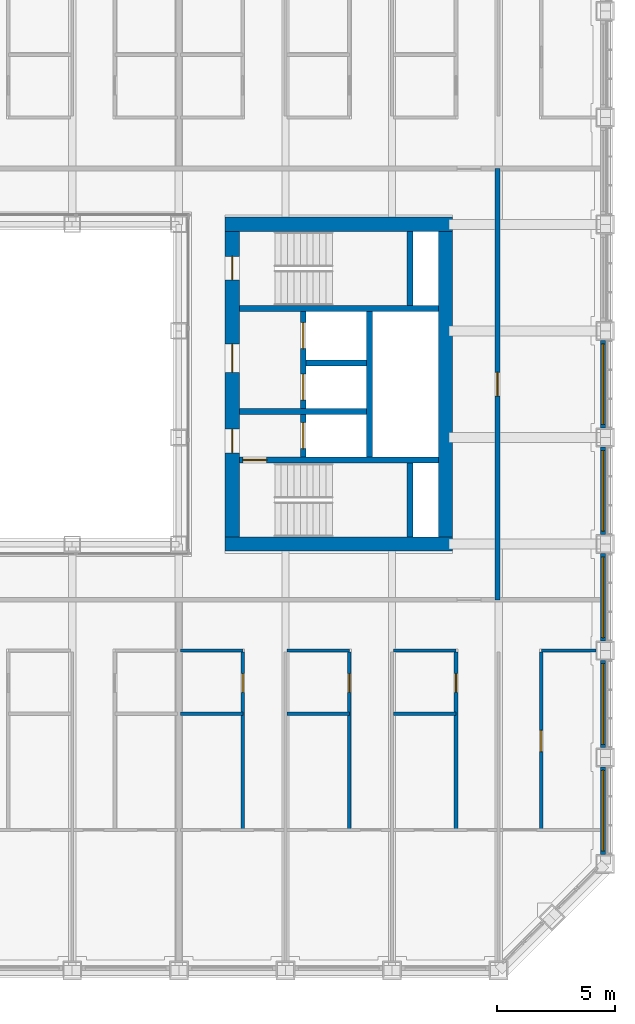
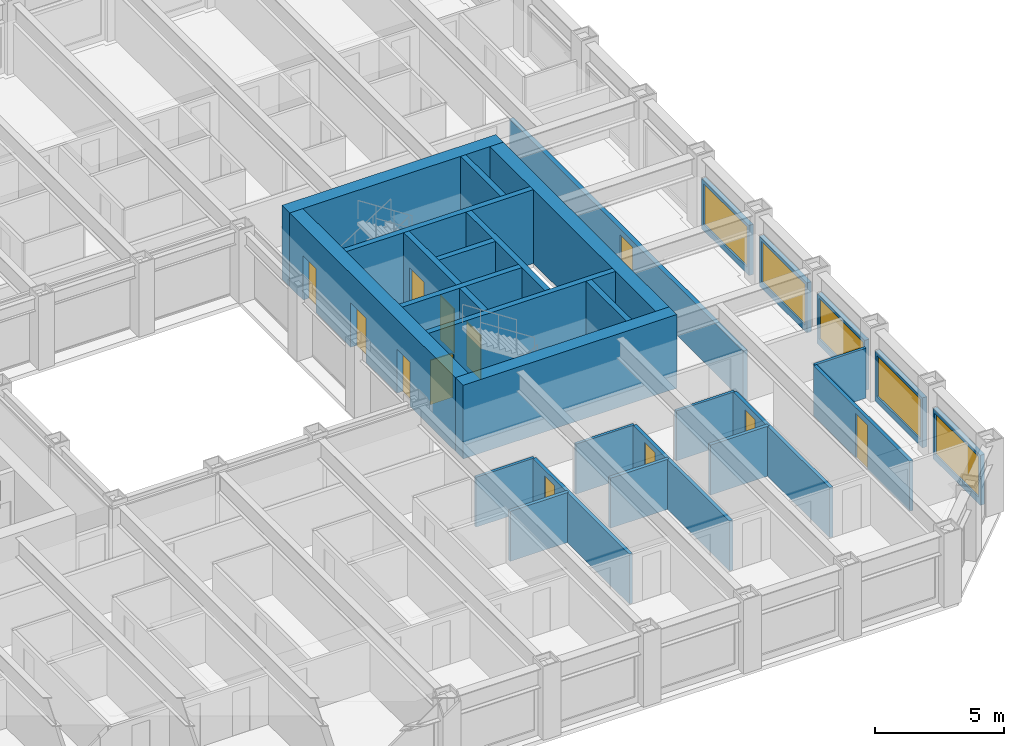
# One storey, part 12 of 21: 29 walls, 12 doors, 5 windows, 17 openings.
"""IFC4 building model written with IfcOpenShell, lengths in metres."""

from ifc_helpers import new_model, si_unit, direction, frame, frame_2d, origin, place, context, subcontext, project, spatial, rectangle, extrude, material, layer, layer_set, type_object, element, fill, save


model = new_model("IFC4")

# Units and contexts
model_context = context("Model", 3, precision=1e-05, world=origin(), true_north=direction((0.0, 1.0)))
body_context = subcontext(model_context, "Body", "Model", "MODEL_VIEW")
ifc_project = project(units=[si_unit("LENGTHUNIT", "METRE"), si_unit("AREAUNIT", "SQUARE_METRE"), si_unit("VOLUMEUNIT", "CUBIC_METRE"), si_unit("PLANEANGLEUNIT", "RADIAN"), si_unit("MASSUNIT", "GRAM", prefix="KILO")], contexts=[model_context])

# Site, building, storey
site_placement = place(None, origin())
site = spatial("IfcSite", under=ifc_project, at=site_placement, CompositionType="ELEMENT")
building_placement = place(site_placement, origin())
building = spatial("IfcBuilding", under=site, at=building_placement, Name="Msasa Ring Tower", CompositionType="ELEMENT")
storey_placement = place(building_placement, frame((0.0, 0.0, 89.5)))
storey = spatial("IfcBuildingStorey", under=building, at=storey_placement, Name="L23", CompositionType="ELEMENT", Elevation=89.5)

# Walls
ifc_material_1 = material(Name="Concrete C60/75", Category="concrete")
ifc_layer_1 = layer(ifc_material_1, 0.60009765625)
ifc_layer_set_1 = layer_set([ifc_layer_1], Name="CW1 CORE WALL 600")
wall_type_1 = type_object("IfcWallType", Name="CW1 CORE WALL 600", PredefinedType="SHEAR", material=ifc_layer_set_1)
for number, where, z_axis, x_axis, name in (
    (1, (8.699951171875, -6.75, 0.0), (0.0, 0.0, 1.0), (1.0, 0.0, 0.0), "E core wall S L23"),
    (2, (8.699951171875, 6.75, 0.0), (0.0, 0.0, 1.0), (1.0, 0.0, 0.0), "E core wall N L23"),
):
    element("IfcWall", number, at=place(storey_placement, frame(where, z_axis=z_axis, x_axis=x_axis)), inside=storey, type_object=wall_type_1, Name=name, PredefinedType="SHEAR", context=body_context, shape_type="SweptSolid", body=[
        extrude(rectangle(XDim=9.60009765625, YDim=0.60009765625, at=frame_2d((4.800048828125, 0.0))), origin(), (0.0, 0.0, 1.0), 3.5),
    ])

# Wall, openings, doors
wall_1_placement = place(storey_placement, frame((9.0, -6.449951171875, 0.0), z_axis=(0.0, 0.0, 1.0), x_axis=(0.0, 1.0, 0.0)))
wall_1 = element("IfcWall", 3, at=wall_1_placement, inside=storey, type_object=wall_type_1, Name="E core wall W L23", PredefinedType="SHEAR", context=body_context, shape_type="SweptSolid", body=[
    extrude(rectangle(XDim=12.89990234375, YDim=0.60009765625, at=frame_2d((6.449951171875, 0.0))), origin(), (0.0, 0.0, 1.0), 3.5),
])
opening_1_placement = place(wall_1_placement, frame((3.550048828125, 0.0, 0.0)))
opening_1 = element("IfcOpeningElement", 4, at=opening_1_placement, cuts=wall_1, Name="Opening RG-045", PredefinedType="OPENING", context=body_context, shape_type="SweptSolid", body=[
    extrude(rectangle(XDim=1.0, YDim=2.10009765625, at=frame_2d((0.5, 1.050048828125))), frame((0.0, 0.31005859375, 0.0), z_axis=(0.0, -1.0, 0.0), x_axis=(1.0, 0.0, 0.0)), (0.0, 0.0, 1.0), 0.6201171875),
])
opening_2_placement = place(wall_1_placement, frame((6.949951171875, 0.0, 0.0)))
opening_2 = element("IfcOpeningElement", 5, at=opening_2_placement, cuts=wall_1, Name="Opening RG-040", PredefinedType="OPENING", context=body_context, shape_type="SweptSolid", body=[
    extrude(rectangle(XDim=1.199951171875, YDim=2.10009765625, at=frame_2d((0.60009765625, 1.050048828125))), frame((0.0, 0.31005859375, 0.0), z_axis=(0.0, -1.0, 0.0), x_axis=(1.0, 0.0, 0.0)), (0.0, 0.0, 1.0), 0.6201171875),
])
opening_3_placement = place(wall_1_placement, frame((10.85009765625, 0.0, 0.0)))
opening_3 = element("IfcOpeningElement", 6, at=opening_3_placement, cuts=wall_1, Name="Opening RG-037", PredefinedType="OPENING", context=body_context, shape_type="SweptSolid", body=[
    extrude(rectangle(XDim=1.0, YDim=2.10009765625, at=frame_2d((0.5, 1.050048828125))), frame((0.0, 0.31005859375, 0.0), z_axis=(0.0, -1.0, 0.0), x_axis=(1.0, 0.0, 0.0)), (0.0, 0.0, 1.0), 0.6201171875),
])
ifc_material_2 = material(Name="Timber door leaf in a steel frame", Category="steel")
door_type_1 = type_object("IfcDoorType", Name="D4 LOBBY DOOR 1000x2100", OperationType="SINGLE_SWING_LEFT", PredefinedType="DOOR", material=ifc_material_2)
door_1_placement = place(opening_1_placement, origin())
door_1 = element("IfcDoor", 7, at=door_1_placement, inside=storey, type_object=door_type_1, Name="Door L23-EFFL", OperationType="SINGLE_SWING_LEFT", OverallHeight=2.10009765625, OverallWidth=1.0, PredefinedType="DOOR", context=body_context, shape_type="SweptSolid", body=[
    extrude(rectangle(XDim=1.0, YDim=2.10009765625, at=frame_2d((0.5, 1.050048828125))), frame((0.0, 0.02490234375, 0.0), z_axis=(0.0, -1.0, 0.0), x_axis=(1.0, 0.0, 0.0)), (0.0, 0.0, 1.0), 0.050048828125),
])
fill(opening_1, door_1)
ifc_material_3 = material(Name="Timber door leaf in a steel frame", Category="steel")
door_type_2 = type_object("IfcDoorType", Name="D5 WIDE LOBBY DOOR 1200x2100", OperationType="SINGLE_SWING_LEFT", PredefinedType="DOOR", material=ifc_material_3)
door_2_placement = place(opening_2_placement, origin())
door_2 = element("IfcDoor", 8, at=door_2_placement, inside=storey, type_object=door_type_2, Name="Door L23-ELL", OperationType="SINGLE_SWING_RIGHT", OverallHeight=2.10009765625, OverallWidth=1.199951171875, PredefinedType="DOOR", context=body_context, shape_type="SweptSolid", body=[
    extrude(rectangle(XDim=1.199951171875, YDim=2.10009765625, at=frame_2d((0.60009765625, 1.050048828125))), frame((0.0, 0.02490234375, 0.0), z_axis=(0.0, -1.0, 0.0), x_axis=(1.0, 0.0, 0.0)), (0.0, 0.0, 1.0), 0.050048828125),
])
fill(opening_2, door_2)
ifc_material_4 = material(Name="Timber door leaf in a steel frame", Category="steel")
door_type_3 = type_object("IfcDoorType", Name="D6 STAIR DOOR 1000x2100", OperationType="SINGLE_SWING_LEFT", PredefinedType="DOOR", material=ifc_material_4)
door_3_placement = place(opening_3_placement, origin())
door_3 = element("IfcDoor", 9, at=door_3_placement, inside=storey, type_object=door_type_3, Name="Door L23-ESTB", OperationType="SINGLE_SWING_RIGHT", OverallHeight=2.10009765625, OverallWidth=1.0, PredefinedType="DOOR", context=body_context, shape_type="SweptSolid", body=[
    extrude(rectangle(XDim=1.0, YDim=2.10009765625, at=frame_2d((0.5, 1.050048828125))), frame((0.0, 0.02490234375, 0.0), z_axis=(0.0, -1.0, 0.0), x_axis=(1.0, 0.0, 0.0)), (0.0, 0.0, 1.0), 0.050048828125),
])
fill(opening_3, door_3)

# Wall
wall_2_placement = place(storey_placement, frame((18.0, -6.449951171875, 0.0), z_axis=(0.0, 0.0, 1.0), x_axis=(0.0, 1.0, 0.0)))
element("IfcWall", 10, at=wall_2_placement, inside=storey, type_object=wall_type_1, Name="E core wall E L23", PredefinedType="SHEAR", context=body_context, shape_type="SweptSolid", body=[
    extrude(rectangle(XDim=12.89990234375, YDim=0.60009765625, at=frame_2d((6.449951171875, 0.0))), origin(), (0.0, 0.0, 1.0), 3.5),
])

# Wall, opening, door
ifc_material_5 = material(Name="Concrete C60/75", Category="concrete")
ifc_layer_2 = layer(ifc_material_5, 0.25)
ifc_layer_set_2 = layer_set([ifc_layer_2], Name="CW4 CORE INNER WALL 250")
wall_type_2 = type_object("IfcWallType", Name="CW4 CORE INNER WALL 250", PredefinedType="SHEAR", material=ifc_layer_set_2)
wall_3_placement = place(storey_placement, frame((9.300048828125, -3.199951171875, 0.0), z_axis=(0.0, 0.0, 1.0), x_axis=(1.0, 0.0, 0.0)))
wall_3 = element("IfcWall", 11, at=wall_3_placement, inside=storey, type_object=wall_type_2, Name="E core wall STAIRA L23", PredefinedType="SHEAR", context=body_context, shape_type="SweptSolid", body=[
    extrude(rectangle(XDim=8.39990234375, YDim=0.25, at=frame_2d((4.199951171875, 0.0))), origin(), (0.0, 0.0, 1.0), 3.5),
])
opening_4_placement = place(wall_3_placement, frame((0.14990234375, 0.0, 0.0)))
opening_4 = element("IfcOpeningElement", 12, at=opening_4_placement, cuts=wall_3, Name="Opening RG-047", PredefinedType="OPENING", context=body_context, shape_type="SweptSolid", body=[
    extrude(rectangle(XDim=1.0, YDim=2.10009765625, at=frame_2d((0.5, 1.050048828125))), frame((0.0, 0.135009765625, 0.0), z_axis=(0.0, -1.0, 0.0), x_axis=(1.0, 0.0, 0.0)), (0.0, 0.0, 1.0), 0.27001953125),
])
door_4_placement = place(opening_4_placement, origin())
door_4 = element("IfcDoor", 13, at=door_4_placement, inside=storey, type_object=door_type_3, Name="Door L23-ESTA", OperationType="SINGLE_SWING_LEFT", OverallHeight=2.10009765625, OverallWidth=1.0, PredefinedType="DOOR", context=body_context, shape_type="SweptSolid", body=[
    extrude(rectangle(XDim=1.0, YDim=2.10009765625, at=frame_2d((0.5, 1.050048828125))), frame((0.0, 0.02490234375, 0.0), z_axis=(0.0, -1.0, 0.0), x_axis=(1.0, 0.0, 0.0)), (0.0, 0.0, 1.0), 0.050048828125),
])
fill(opening_4, door_4)

# Walls
wall_4_placement = place(storey_placement, frame((9.300048828125, 3.199951171875, 0.0), z_axis=(0.0, 0.0, 1.0), x_axis=(1.0, 0.0, 0.0)))
element("IfcWall", 14, at=wall_4_placement, inside=storey, type_object=wall_type_2, Name="E core wall STAIRB L23", PredefinedType="SHEAR", context=body_context, shape_type="SweptSolid", body=[
    extrude(rectangle(XDim=8.39990234375, YDim=0.25, at=frame_2d((4.199951171875, 0.0))), origin(), (0.0, 0.0, 1.0), 3.5),
])
for number, where, z_axis, x_axis, name in (
    (15, (16.5, -6.449951171875, 0.0), (0.0, 0.0, 1.0), (0.0, 1.0, 0.0), "E core wall RISERA L23"),
    (16, (16.5, 3.324951171875, 0.0), (0.0, 0.0, 1.0), (0.0, 1.0, 0.0), "E core wall RISERB L23"),
):
    element("IfcWall", number, at=place(storey_placement, frame(where, z_axis=z_axis, x_axis=x_axis)), inside=storey, type_object=wall_type_2, Name=name, PredefinedType="SHEAR", context=body_context, shape_type="SweptSolid", body=[
        extrude(rectangle(XDim=3.125, YDim=0.25, at=frame_2d((1.5625, 0.0))), origin(), (0.0, 0.0, 1.0), 3.5),
    ])
wall_5_placement = place(storey_placement, frame((9.300048828125, -1.14990234375, 0.0), z_axis=(0.0, 0.0, 1.0), x_axis=(1.0, 0.0, 0.0)))
element("IfcWall", 17, at=wall_5_placement, inside=storey, type_object=wall_type_2, Name="E core wall FFL L23", PredefinedType="SHEAR", context=body_context, shape_type="SweptSolid", body=[
    extrude(rectangle(XDim=5.375, YDim=0.25, at=frame_2d((2.6875, 0.0))), origin(), (0.0, 0.0, 1.0), 3.5),
])

# Wall, openings, doors
wall_6_placement = place(storey_placement, frame((12.0, -3.074951171875, 0.0), z_axis=(0.0, 0.0, 1.0), x_axis=(0.0, 1.0, 0.0)))
wall_6 = element("IfcWall", 18, at=wall_6_placement, inside=storey, type_object=wall_type_2, Name="E core wall LOBBY L23", PredefinedType="SHEAR", context=body_context, shape_type="SweptSolid", body=[
    extrude(rectangle(XDim=6.14990234375, YDim=0.25, at=frame_2d((3.074951171875, 0.0))), origin(), (0.0, 0.0, 1.0), 3.5),
])
opening_5_placement = place(wall_6_placement, frame((0.35009765625, 0.0, 0.0)))
opening_5 = element("IfcOpeningElement", 19, at=opening_5_placement, cuts=wall_6, Name="Opening LD1", PredefinedType="OPENING", context=body_context, shape_type="SweptSolid", body=[
    extrude(rectangle(XDim=1.10009765625, YDim=2.10009765625, at=frame_2d((0.550048828125, 1.050048828125))), frame((0.0, 0.135009765625, 0.0), z_axis=(0.0, -1.0, 0.0), x_axis=(1.0, 0.0, 0.0)), (0.0, 0.0, 1.0), 0.27001953125),
])
opening_6_placement = place(wall_6_placement, frame((2.39990234375, 0.0, 0.0)))
opening_6 = element("IfcOpeningElement", 20, at=opening_6_placement, cuts=wall_6, Name="Opening LD1", PredefinedType="OPENING", context=body_context, shape_type="SweptSolid", body=[
    extrude(rectangle(XDim=1.10009765625, YDim=2.10009765625, at=frame_2d((0.550048828125, 1.050048828125))), frame((0.0, 0.135009765625, 0.0), z_axis=(0.0, -1.0, 0.0), x_axis=(1.0, 0.0, 0.0)), (0.0, 0.0, 1.0), 0.27001953125),
])
opening_7_placement = place(wall_6_placement, frame((4.574951171875, 0.0, 0.0)))
opening_7 = element("IfcOpeningElement", 21, at=opening_7_placement, cuts=wall_6, Name="Opening LD1", PredefinedType="OPENING", context=body_context, shape_type="SweptSolid", body=[
    extrude(rectangle(XDim=1.10009765625, YDim=2.10009765625, at=frame_2d((0.550048828125, 1.050048828125))), frame((0.0, 0.135009765625, 0.0), z_axis=(0.0, -1.0, 0.0), x_axis=(1.0, 0.0, 0.0)), (0.0, 0.0, 1.0), 0.27001953125),
])
ifc_material_6 = material(Name="Stainless steel lift landing door", Category="steel")
door_type_4 = type_object("IfcDoorType", Name="LD1 LIFT LANDING DOOR 1100x2100", OperationType="DOUBLE_DOOR_SLIDING", PredefinedType="DOOR", material=ifc_material_6)
door_5_placement = place(opening_5_placement, origin())
door_5 = element("IfcDoor", 22, at=door_5_placement, inside=storey, type_object=door_type_4, Name="Lift landing door FL-E L23", OperationType="DOUBLE_DOOR_SLIDING", OverallHeight=2.10009765625, OverallWidth=1.10009765625, PredefinedType="DOOR", context=body_context, shape_type="SweptSolid", body=[
    extrude(rectangle(XDim=1.10009765625, YDim=2.10009765625, at=frame_2d((0.550048828125, 1.050048828125))), frame((0.0, 0.02490234375, 0.0), z_axis=(0.0, -1.0, 0.0), x_axis=(1.0, 0.0, 0.0)), (0.0, 0.0, 1.0), 0.050048828125),
])
fill(opening_5, door_5)
door_6_placement = place(opening_6_placement, origin())
door_6 = element("IfcDoor", 23, at=door_6_placement, inside=storey, type_object=door_type_4, Name="Lift landing door PL-R1 L23", OperationType="DOUBLE_DOOR_SLIDING", OverallHeight=2.10009765625, OverallWidth=1.10009765625, PredefinedType="DOOR", context=body_context, shape_type="SweptSolid", body=[
    extrude(rectangle(XDim=1.10009765625, YDim=2.10009765625, at=frame_2d((0.550048828125, 1.050048828125))), frame((0.0, 0.02490234375, 0.0), z_axis=(0.0, -1.0, 0.0), x_axis=(1.0, 0.0, 0.0)), (0.0, 0.0, 1.0), 0.050048828125),
])
fill(opening_6, door_6)
door_7_placement = place(opening_7_placement, origin())
door_7 = element("IfcDoor", 24, at=door_7_placement, inside=storey, type_object=door_type_4, Name="Lift landing door PL-R2 L23", OperationType="DOUBLE_DOOR_SLIDING", OverallHeight=2.10009765625, OverallWidth=1.10009765625, PredefinedType="DOOR", context=body_context, shape_type="SweptSolid", body=[
    extrude(rectangle(XDim=1.10009765625, YDim=2.10009765625, at=frame_2d((0.550048828125, 1.050048828125))), frame((0.0, 0.02490234375, 0.0), z_axis=(0.0, -1.0, 0.0), x_axis=(1.0, 0.0, 0.0)), (0.0, 0.0, 1.0), 0.050048828125),
])
fill(opening_7, door_7)

# Walls
wall_7_placement = place(storey_placement, frame((14.800048828125, -3.074951171875, 0.0), z_axis=(0.0, 0.0, 1.0), x_axis=(0.0, 1.0, 0.0)))
element("IfcWall", 25, at=wall_7_placement, inside=storey, type_object=wall_type_2, Name="E core wall SHAFT L23", PredefinedType="SHEAR", context=body_context, shape_type="SweptSolid", body=[
    extrude(rectangle(XDim=6.14990234375, YDim=0.25, at=frame_2d((3.074951171875, 0.0))), origin(), (0.0, 0.0, 1.0), 3.5),
])
wall_8_placement = place(storey_placement, frame((12.125, 0.89990234375, 0.0), z_axis=(0.0, 0.0, 1.0), x_axis=(1.0, 0.0, 0.0)))
element("IfcWall", 26, at=wall_8_placement, inside=storey, type_object=wall_type_2, Name="E core wall LIFT1 L23", PredefinedType="SHEAR", context=body_context, shape_type="SweptSolid", body=[
    extrude(rectangle(XDim=2.550048828125, YDim=0.25, at=frame_2d((1.27490234375, 0.0))), origin(), (0.0, 0.0, 1.0), 3.5),
])

# Wall, opening, window
ifc_material_7 = material(Name="Terracotta rainscreen on blockwork", Category="masonry")
ifc_layer_3 = layer(ifc_material_7, 0.199951171875)
ifc_layer_set_3 = layer_set([ifc_layer_3], Name="FW1 TERRACOTTA-LINED INFILL BAY WALL 200")
wall_type_3 = type_object("IfcWallType", Name="FW1 TERRACOTTA-LINED INFILL BAY WALL 200", PredefinedType="SOLIDWALL", material=ifc_layer_set_3)
wall_9_placement = place(storey_placement, frame((24.64990234375, -19.844970703125, 0.0), z_axis=(0.0, 0.0, 1.0), x_axis=(0.0, 1.0, 0.0)))
wall_9 = element("IfcWall", 27, at=wall_9_placement, inside=storey, type_object=wall_type_3, Name="Infill bay wall E L23 11", PredefinedType="SOLIDWALL", context=body_context, shape_type="SweptSolid", body=[
    extrude(rectangle(XDim=3.68994140625, YDim=0.199951171875, at=frame_2d((1.844970703125, 0.0))), origin(), (0.0, 0.0, 1.0), 2.37890625),
])
opening_8_placement = place(wall_9_placement, frame((0.14501953125, 0.0, 0.300048828125)))
opening_8 = element("IfcOpeningElement", 28, at=opening_8_placement, cuts=wall_9, Name="Opening WN1", PredefinedType="OPENING", context=body_context, shape_type="SweptSolid", body=[
    extrude(rectangle(XDim=3.39990234375, YDim=1.928955078125, at=frame_2d((1.699951171875, 0.96435546875))), frame((0.0, 0.10986328125, 0.0), z_axis=(0.0, -1.0, 0.0), x_axis=(1.0, 0.0, 0.0)), (0.0, 0.0, 1.0), 0.219970703125),
])
ifc_material_8 = material(Name="Aluminium frame with clear glass", Category="aluminium")
window_type = type_object("IfcWindowType", Name="WN1 RESIDENCE WINDOW 3400x1929", PartitioningType="SINGLE_PANEL", PredefinedType="WINDOW", material=ifc_material_8)
window_1_placement = place(opening_8_placement, origin())
window_1 = element("IfcWindow", 29, at=window_1_placement, inside=storey, type_object=window_type, Name="Window E L23 11", OverallHeight=1.928955078125, OverallWidth=3.39990234375, PartitioningType="SINGLE_PANEL", PredefinedType="WINDOW", context=body_context, shape_type="SweptSolid", body=[
    extrude(rectangle(XDim=3.39990234375, YDim=1.928955078125, at=frame_2d((1.699951171875, 0.96435546875))), frame((0.0, 0.030029296875, 0.0), z_axis=(0.0, -1.0, 0.0), x_axis=(1.0, 0.0, 0.0)), (0.0, 0.0, 1.0), 0.06005859375),
])
fill(opening_8, window_1)

wall_10_placement = place(storey_placement, frame((24.64990234375, -15.344970703125, 0.0), z_axis=(0.0, 0.0, 1.0), x_axis=(0.0, 1.0, 0.0)))
wall_10 = element("IfcWall", 30, at=wall_10_placement, inside=storey, type_object=wall_type_3, Name="Infill bay wall E L23 12", PredefinedType="SOLIDWALL", context=body_context, shape_type="SweptSolid", body=[
    extrude(rectangle(XDim=3.68994140625, YDim=0.199951171875, at=frame_2d((1.844970703125, 0.0))), origin(), (0.0, 0.0, 1.0), 2.37890625),
])
opening_9_placement = place(wall_10_placement, frame((0.14501953125, 0.0, 0.300048828125)))
opening_9 = element("IfcOpeningElement", 31, at=opening_9_placement, cuts=wall_10, Name="Opening WN1", PredefinedType="OPENING", context=body_context, shape_type="SweptSolid", body=[
    extrude(rectangle(XDim=3.39990234375, YDim=1.928955078125, at=frame_2d((1.699951171875, 0.96435546875))), frame((0.0, 0.10986328125, 0.0), z_axis=(0.0, -1.0, 0.0), x_axis=(1.0, 0.0, 0.0)), (0.0, 0.0, 1.0), 0.219970703125),
])
window_2_placement = place(opening_9_placement, origin())
window_2 = element("IfcWindow", 32, at=window_2_placement, inside=storey, type_object=window_type, Name="Window E L23 12", OverallHeight=1.928955078125, OverallWidth=3.39990234375, PartitioningType="SINGLE_PANEL", PredefinedType="WINDOW", context=body_context, shape_type="SweptSolid", body=[
    extrude(rectangle(XDim=3.39990234375, YDim=1.928955078125, at=frame_2d((1.699951171875, 0.96435546875))), frame((0.0, 0.030029296875, 0.0), z_axis=(0.0, -1.0, 0.0), x_axis=(1.0, 0.0, 0.0)), (0.0, 0.0, 1.0), 0.06005859375),
])
fill(opening_9, window_2)

wall_11_placement = place(storey_placement, frame((24.64990234375, -10.844970703125, 0.0), z_axis=(0.0, 0.0, 1.0), x_axis=(0.0, 1.0, 0.0)))
wall_11 = element("IfcWall", 33, at=wall_11_placement, inside=storey, type_object=wall_type_3, Name="Infill bay wall E L23 13", PredefinedType="SOLIDWALL", context=body_context, shape_type="SweptSolid", body=[
    extrude(rectangle(XDim=3.68994140625, YDim=0.199951171875, at=frame_2d((1.844970703125, 0.0))), origin(), (0.0, 0.0, 1.0), 2.37890625),
])
opening_10_placement = place(wall_11_placement, frame((0.14501953125, 0.0, 0.300048828125)))
opening_10 = element("IfcOpeningElement", 34, at=opening_10_placement, cuts=wall_11, Name="Opening WN1", PredefinedType="OPENING", context=body_context, shape_type="SweptSolid", body=[
    extrude(rectangle(XDim=3.39990234375, YDim=1.928955078125, at=frame_2d((1.699951171875, 0.96435546875))), frame((0.0, 0.10986328125, 0.0), z_axis=(0.0, -1.0, 0.0), x_axis=(1.0, 0.0, 0.0)), (0.0, 0.0, 1.0), 0.219970703125),
])
window_3_placement = place(opening_10_placement, origin())
window_3 = element("IfcWindow", 35, at=window_3_placement, inside=storey, type_object=window_type, Name="Window E L23 13", OverallHeight=1.928955078125, OverallWidth=3.39990234375, PartitioningType="SINGLE_PANEL", PredefinedType="WINDOW", context=body_context, shape_type="SweptSolid", body=[
    extrude(rectangle(XDim=3.39990234375, YDim=1.928955078125, at=frame_2d((1.699951171875, 0.96435546875))), frame((0.0, 0.030029296875, 0.0), z_axis=(0.0, -1.0, 0.0), x_axis=(1.0, 0.0, 0.0)), (0.0, 0.0, 1.0), 0.06005859375),
])
fill(opening_10, window_3)

wall_12_placement = place(storey_placement, frame((24.64990234375, -6.344970703125, 0.0), z_axis=(0.0, 0.0, 1.0), x_axis=(0.0, 1.0, 0.0)))
wall_12 = element("IfcWall", 36, at=wall_12_placement, inside=storey, type_object=wall_type_3, Name="Infill bay wall E L23 14", PredefinedType="SOLIDWALL", context=body_context, shape_type="SweptSolid", body=[
    extrude(rectangle(XDim=3.68994140625, YDim=0.199951171875, at=frame_2d((1.844970703125, 0.0))), origin(), (0.0, 0.0, 1.0), 2.37890625),
])
opening_11_placement = place(wall_12_placement, frame((0.14501953125, 0.0, 0.300048828125)))
opening_11 = element("IfcOpeningElement", 37, at=opening_11_placement, cuts=wall_12, Name="Opening WN1", PredefinedType="OPENING", context=body_context, shape_type="SweptSolid", body=[
    extrude(rectangle(XDim=3.39990234375, YDim=1.928955078125, at=frame_2d((1.699951171875, 0.96435546875))), frame((0.0, 0.10986328125, 0.0), z_axis=(0.0, -1.0, 0.0), x_axis=(1.0, 0.0, 0.0)), (0.0, 0.0, 1.0), 0.219970703125),
])
window_4_placement = place(opening_11_placement, origin())
window_4 = element("IfcWindow", 38, at=window_4_placement, inside=storey, type_object=window_type, Name="Window E L23 14", OverallHeight=1.928955078125, OverallWidth=3.39990234375, PartitioningType="SINGLE_PANEL", PredefinedType="WINDOW", context=body_context, shape_type="SweptSolid", body=[
    extrude(rectangle(XDim=3.39990234375, YDim=1.928955078125, at=frame_2d((1.699951171875, 0.96435546875))), frame((0.0, 0.030029296875, 0.0), z_axis=(0.0, -1.0, 0.0), x_axis=(1.0, 0.0, 0.0)), (0.0, 0.0, 1.0), 0.06005859375),
])
fill(opening_11, window_4)

wall_13_placement = place(storey_placement, frame((24.64990234375, -1.844970703125, 0.0), z_axis=(0.0, 0.0, 1.0), x_axis=(0.0, 1.0, 0.0)))
wall_13 = element("IfcWall", 39, at=wall_13_placement, inside=storey, type_object=wall_type_3, Name="Infill bay wall E L23 15", PredefinedType="SOLIDWALL", context=body_context, shape_type="SweptSolid", body=[
    extrude(rectangle(XDim=3.68994140625, YDim=0.199951171875, at=frame_2d((1.844970703125, 0.0))), origin(), (0.0, 0.0, 1.0), 2.37890625),
])
opening_12_placement = place(wall_13_placement, frame((0.14501953125, 0.0, 0.300048828125)))
opening_12 = element("IfcOpeningElement", 40, at=opening_12_placement, cuts=wall_13, Name="Opening WN1", PredefinedType="OPENING", context=body_context, shape_type="SweptSolid", body=[
    extrude(rectangle(XDim=3.39990234375, YDim=1.928955078125, at=frame_2d((1.699951171875, 0.96435546875))), frame((0.0, 0.10986328125, 0.0), z_axis=(0.0, -1.0, 0.0), x_axis=(1.0, 0.0, 0.0)), (0.0, 0.0, 1.0), 0.219970703125),
])
window_5_placement = place(opening_12_placement, origin())
window_5 = element("IfcWindow", 41, at=window_5_placement, inside=storey, type_object=window_type, Name="Window E L23 15", OverallHeight=1.928955078125, OverallWidth=3.39990234375, PartitioningType="SINGLE_PANEL", PredefinedType="WINDOW", context=body_context, shape_type="SweptSolid", body=[
    extrude(rectangle(XDim=3.39990234375, YDim=1.928955078125, at=frame_2d((1.699951171875, 0.96435546875))), frame((0.0, 0.030029296875, 0.0), z_axis=(0.0, -1.0, 0.0), x_axis=(1.0, 0.0, 0.0)), (0.0, 0.0, 1.0), 0.06005859375),
])
fill(opening_12, window_5)

# Wall, opening, door
ifc_material_9 = material(Name="Concrete blockwork", Category="masonry")
ifc_layer_4 = layer(ifc_material_9, 0.199951171875)
ifc_layer_set_4 = layer_set([ifc_layer_4], Name="PT1 CORRIDOR WALL 200")
wall_type_4 = type_object("IfcWallType", Name="PT1 CORRIDOR WALL 200", PredefinedType="PARTITIONING", material=ifc_layer_set_4)
wall_14_placement = place(storey_placement, frame((20.199951171875, -9.10009765625, 0.0), z_axis=(0.0, 0.0, 1.0), x_axis=(0.0, 1.0, 0.0)))
wall_14 = element("IfcWall", 42, at=wall_14_placement, inside=storey, type_object=wall_type_4, Name="Corridor wall L23-STRE", PredefinedType="PARTITIONING", context=body_context, shape_type="SweptSolid", body=[
    extrude(rectangle(XDim=18.2001953125, YDim=0.199951171875, at=frame_2d((9.10009765625, 0.0))), origin(), (0.0, 0.0, 1.0), 2.373291015625),
])
opening_13_placement = place(wall_14_placement, frame((8.60009765625, 0.0, 0.0)))
opening_13 = element("IfcOpeningElement", 43, at=opening_13_placement, cuts=wall_14, Name="Opening RG-042", PredefinedType="OPENING", context=body_context, shape_type="SweptSolid", body=[
    extrude(rectangle(XDim=1.0, YDim=2.10009765625, at=frame_2d((0.5, 1.050048828125))), frame((0.0, 0.10986328125, 0.0), z_axis=(0.0, -1.0, 0.0), x_axis=(1.0, 0.0, 0.0)), (0.0, 0.0, 1.0), 0.219970703125),
])
ifc_material_10 = material(Name="Timber door leaf in a steel frame", Category="steel")
door_type_5 = type_object("IfcDoorType", Name="D10 STORE DOOR 1000x2100", OperationType="SINGLE_SWING_LEFT", PredefinedType="DOOR", material=ifc_material_10)
door_8_placement = place(opening_13_placement, origin())
door_8 = element("IfcDoor", 44, at=door_8_placement, inside=storey, type_object=door_type_5, Name="Door L23-RSE", OperationType="SINGLE_SWING_LEFT", OverallHeight=2.10009765625, OverallWidth=1.0, PredefinedType="DOOR", context=body_context, shape_type="SweptSolid", body=[
    extrude(rectangle(XDim=1.0, YDim=2.10009765625, at=frame_2d((0.5, 1.050048828125))), frame((0.0, 0.02490234375, 0.0), z_axis=(0.0, -1.0, 0.0), x_axis=(1.0, 0.0, 0.0)), (0.0, 0.0, 1.0), 0.050048828125),
])
fill(opening_13, door_8)

ifc_material_11 = material(Name="Moisture-resistant board on steel studs with a concealed cistern and pipe void, tiled", Category="steel")
ifc_layer_5 = layer(ifc_material_11, 0.14990234375)
ifc_layer_set_5 = layer_set([ifc_layer_5], Name="PT4 BATHROOM WET WALL 150")
wall_type_5 = type_object("IfcWallType", Name="PT4 BATHROOM WET WALL 150", PredefinedType="PARTITIONING", material=ifc_layer_set_5)
wall_15_placement = place(storey_placement, frame((22.050048828125, -18.8125, 0.0), z_axis=(0.0, 0.0, 1.0), x_axis=(0.0, 1.0, 0.0)))
wall_15 = element("IfcWall", 45, at=wall_15_placement, inside=storey, type_object=wall_type_5, Name="Partition L23-US02SX0", PredefinedType="PARTITIONING", context=body_context, shape_type="SweptSolid", body=[
    extrude(rectangle(XDim=7.5, YDim=0.14990234375, at=frame_2d((3.75, 0.0))), origin(), (0.0, 0.0, 1.0), 2.373291015625),
])
opening_14_placement = place(wall_15_placement, frame((3.300048828125, 0.0, 0.0)))
opening_14 = element("IfcOpeningElement", 46, at=opening_14_placement, cuts=wall_15, Name="Opening RG-063", PredefinedType="OPENING", context=body_context, shape_type="SweptSolid", body=[
    extrude(rectangle(XDim=0.89990234375, YDim=2.10009765625, at=frame_2d((0.449951171875, 1.050048828125))), frame((0.0, 0.0849609375, 0.0), z_axis=(0.0, -1.0, 0.0), x_axis=(1.0, 0.0, 0.0)), (0.0, 0.0, 1.0), 0.169921875),
])
ifc_material_12 = material(Name="Timber door leaf in a steel frame", Category="steel")
door_type_6 = type_object("IfcDoorType", Name="D22 INTERNAL HALL DOOR 900x2100", OperationType="SINGLE_SWING_LEFT", PredefinedType="DOOR", material=ifc_material_12)
door_9_placement = place(opening_14_placement, origin())
door_9 = element("IfcDoor", 47, at=door_9_placement, inside=storey, type_object=door_type_6, Name="Door L23-US02K", OperationType="SINGLE_SWING_LEFT", OverallHeight=2.10009765625, OverallWidth=0.89990234375, PredefinedType="DOOR", context=body_context, shape_type="SweptSolid", body=[
    extrude(rectangle(XDim=0.89990234375, YDim=2.10009765625, at=frame_2d((0.449951171875, 1.050048828125))), frame((0.0, 0.02490234375, 0.0), z_axis=(0.0, -1.0, 0.0), x_axis=(1.0, 0.0, 0.0)), (0.0, 0.0, 1.0), 0.050048828125),
])
fill(opening_14, door_9)

wall_16_placement = place(storey_placement, frame((18.449951171875, -18.8125, 0.0), z_axis=(0.0, 0.0, 1.0), x_axis=(0.0, 1.0, 0.0)))
wall_16 = element("IfcWall", 48, at=wall_16_placement, inside=storey, type_object=wall_type_5, Name="Partition L23-US02SX1", PredefinedType="PARTITIONING", context=body_context, shape_type="SweptSolid", body=[
    extrude(rectangle(XDim=7.5, YDim=0.14990234375, at=frame_2d((3.75, 0.0))), origin(), (0.0, 0.0, 1.0), 2.373291015625),
])
opening_15_placement = place(wall_16_placement, frame((5.800048828125, 0.0, 0.0)))
opening_15 = element("IfcOpeningElement", 49, at=opening_15_placement, cuts=wall_16, Name="Opening RG-060", PredefinedType="OPENING", context=body_context, shape_type="SweptSolid", body=[
    extrude(rectangle(XDim=0.800048828125, YDim=2.10009765625, at=frame_2d((0.39990234375, 1.050048828125))), frame((0.0, 0.0849609375, 0.0), z_axis=(0.0, -1.0, 0.0), x_axis=(1.0, 0.0, 0.0)), (0.0, 0.0, 1.0), 0.169921875),
])
ifc_material_13 = material(Name="Timber door leaf in a steel frame", Category="steel")
door_type_7 = type_object("IfcDoorType", Name="D21 POCKET SLIDING BATHROOM DOOR 800x2100", OperationType="SINGLE_SWING_LEFT", PredefinedType="DOOR", material=ifc_material_13)
door_10_placement = place(opening_15_placement, origin())
door_10 = element("IfcDoor", 50, at=door_10_placement, inside=storey, type_object=door_type_7, Name="Door L23-US02B1", OperationType="SINGLE_SWING_RIGHT", OverallHeight=2.10009765625, OverallWidth=0.800048828125, PredefinedType="DOOR", context=body_context, shape_type="SweptSolid", body=[
    extrude(rectangle(XDim=0.800048828125, YDim=2.10009765625, at=frame_2d((0.39990234375, 1.050048828125))), frame((0.0, 0.02490234375, 0.0), z_axis=(0.0, -1.0, 0.0), x_axis=(1.0, 0.0, 0.0)), (0.0, 0.0, 1.0), 0.050048828125),
])
fill(opening_15, door_10)

# Wall
wall_17_placement = place(storey_placement, frame((15.8125, -13.91259765625, 0.0), z_axis=(0.0, 0.0, 1.0), x_axis=(1.0, 0.0, 0.0)))
element("IfcWall", 51, at=wall_17_placement, inside=storey, type_object=wall_type_5, Name="Partition L23-US02SB1", PredefinedType="PARTITIONING", context=body_context, shape_type="SweptSolid", body=[
    extrude(rectangle(XDim=2.637451171875, YDim=0.14990234375, at=frame_2d((1.31884765625, 0.0))), origin(), (0.0, 0.0, 1.0), 2.373291015625),
])

# Wall, opening, door
wall_18_placement = place(storey_placement, frame((13.949951171875, -18.8125, 0.0), z_axis=(0.0, 0.0, 1.0), x_axis=(0.0, 1.0, 0.0)))
wall_18 = element("IfcWall", 52, at=wall_18_placement, inside=storey, type_object=wall_type_5, Name="Partition L23-US02SX2", PredefinedType="PARTITIONING", context=body_context, shape_type="SweptSolid", body=[
    extrude(rectangle(XDim=7.5, YDim=0.14990234375, at=frame_2d((3.75, 0.0))), origin(), (0.0, 0.0, 1.0), 2.373291015625),
])
opening_16_placement = place(wall_18_placement, frame((5.800048828125, 0.0, 0.0)))
opening_16 = element("IfcOpeningElement", 53, at=opening_16_placement, cuts=wall_18, Name="Opening RG-059", PredefinedType="OPENING", context=body_context, shape_type="SweptSolid", body=[
    extrude(rectangle(XDim=0.800048828125, YDim=2.10009765625, at=frame_2d((0.39990234375, 1.050048828125))), frame((0.0, 0.0849609375, 0.0), z_axis=(0.0, -1.0, 0.0), x_axis=(1.0, 0.0, 0.0)), (0.0, 0.0, 1.0), 0.169921875),
])
door_11_placement = place(opening_16_placement, origin())
door_11 = element("IfcDoor", 54, at=door_11_placement, inside=storey, type_object=door_type_7, Name="Door L23-US02B2", OperationType="SINGLE_SWING_RIGHT", OverallHeight=2.10009765625, OverallWidth=0.800048828125, PredefinedType="DOOR", context=body_context, shape_type="SweptSolid", body=[
    extrude(rectangle(XDim=0.800048828125, YDim=2.10009765625, at=frame_2d((0.39990234375, 1.050048828125))), frame((0.0, 0.02490234375, 0.0), z_axis=(0.0, -1.0, 0.0), x_axis=(1.0, 0.0, 0.0)), (0.0, 0.0, 1.0), 0.050048828125),
])
fill(opening_16, door_11)

# Wall
wall_19_placement = place(storey_placement, frame((11.3125, -13.91259765625, 0.0), z_axis=(0.0, 0.0, 1.0), x_axis=(1.0, 0.0, 0.0)))
element("IfcWall", 55, at=wall_19_placement, inside=storey, type_object=wall_type_5, Name="Partition L23-US02SB2", PredefinedType="PARTITIONING", context=body_context, shape_type="SweptSolid", body=[
    extrude(rectangle(XDim=2.637451171875, YDim=0.14990234375, at=frame_2d((1.31884765625, 0.0))), origin(), (0.0, 0.0, 1.0), 2.373291015625),
])

# Wall, opening, door
wall_20_placement = place(storey_placement, frame((9.449951171875, -18.8125, 0.0), z_axis=(0.0, 0.0, 1.0), x_axis=(0.0, 1.0, 0.0)))
wall_20 = element("IfcWall", 56, at=wall_20_placement, inside=storey, type_object=wall_type_5, Name="Partition L23-US02SX3", PredefinedType="PARTITIONING", context=body_context, shape_type="SweptSolid", body=[
    extrude(rectangle(XDim=7.5, YDim=0.14990234375, at=frame_2d((3.75, 0.0))), origin(), (0.0, 0.0, 1.0), 2.373291015625),
])
opening_17_placement = place(wall_20_placement, frame((5.800048828125, 0.0, 0.0)))
opening_17 = element("IfcOpeningElement", 57, at=opening_17_placement, cuts=wall_20, Name="Opening RG-058", PredefinedType="OPENING", context=body_context, shape_type="SweptSolid", body=[
    extrude(rectangle(XDim=0.800048828125, YDim=2.10009765625, at=frame_2d((0.39990234375, 1.050048828125))), frame((0.0, 0.0849609375, 0.0), z_axis=(0.0, -1.0, 0.0), x_axis=(1.0, 0.0, 0.0)), (0.0, 0.0, 1.0), 0.169921875),
])
door_12_placement = place(opening_17_placement, origin())
door_12 = element("IfcDoor", 58, at=door_12_placement, inside=storey, type_object=door_type_7, Name="Door L23-US02B3", OperationType="SINGLE_SWING_RIGHT", OverallHeight=2.10009765625, OverallWidth=0.800048828125, PredefinedType="DOOR", context=body_context, shape_type="SweptSolid", body=[
    extrude(rectangle(XDim=0.800048828125, YDim=2.10009765625, at=frame_2d((0.39990234375, 1.050048828125))), frame((0.0, 0.02490234375, 0.0), z_axis=(0.0, -1.0, 0.0), x_axis=(1.0, 0.0, 0.0)), (0.0, 0.0, 1.0), 0.050048828125),
])
fill(opening_17, door_12)

# Walls
wall_21_placement = place(storey_placement, frame((6.8173828125, -13.91259765625, 0.0), z_axis=(0.0, 0.0, 1.0), x_axis=(1.0, 0.0, 0.0)))
element("IfcWall", 59, at=wall_21_placement, inside=storey, type_object=wall_type_5, Name="Partition L23-US02SB3", PredefinedType="PARTITIONING", context=body_context, shape_type="SweptSolid", body=[
    extrude(rectangle(XDim=2.632568359375, YDim=0.14990234375, at=frame_2d((1.31640625, 0.0))), origin(), (0.0, 0.0, 1.0), 2.373291015625),
])
ifc_material_14 = material(Name="Two layers of acoustic board each face on steel studs, mineral wool", Category="steel")
ifc_layer_6 = layer(ifc_material_14, 0.125)
ifc_layer_set_6 = layer_set([ifc_layer_6], Name="PT6 ACOUSTIC DOUBLE-BOARD PARTITION 125")
wall_type_6 = type_object("IfcWallType", Name="PT6 ACOUSTIC DOUBLE-BOARD PARTITION 125", PredefinedType="PARTITIONING", material=ifc_layer_set_6)
wall_22_placement = place(storey_placement, frame((22.050048828125, -11.25, 0.0), z_axis=(0.0, 0.0, 1.0), x_axis=(1.0, 0.0, 0.0)))
element("IfcWall", 60, at=wall_22_placement, inside=storey, type_object=wall_type_6, Name="Partition L23-US02HY0", PredefinedType="PARTITIONING", context=body_context, shape_type="SweptSolid", body=[
    extrude(rectangle(XDim=2.300048828125, YDim=0.125, at=frame_2d((1.14990234375, 0.0))), origin(), (0.0, 0.0, 1.0), 2.373291015625),
])
for number, where, z_axis, x_axis, name in (
    (61, (15.8173828125, -11.25, 0.0), (0.0, 0.0, 1.0), (1.0, 0.0, 0.0), "Partition L23-US02HY1"),
    (62, (11.3173828125, -11.25, 0.0), (0.0, 0.0, 1.0), (1.0, 0.0, 0.0), "Partition L23-US02HY2"),
    (63, (6.8173828125, -11.25, 0.0), (0.0, 0.0, 1.0), (1.0, 0.0, 0.0), "Partition L23-US02HY3"),
):
    element("IfcWall", number, at=place(storey_placement, frame(where, z_axis=z_axis, x_axis=x_axis)), inside=storey, type_object=wall_type_6, Name=name, PredefinedType="PARTITIONING", context=body_context, shape_type="SweptSolid", body=[
        extrude(rectangle(XDim=2.632568359375, YDim=0.125, at=frame_2d((1.31640625, 0.0))), origin(), (0.0, 0.0, 1.0), 2.373291015625),
    ])

save(model, "model.ifc")
